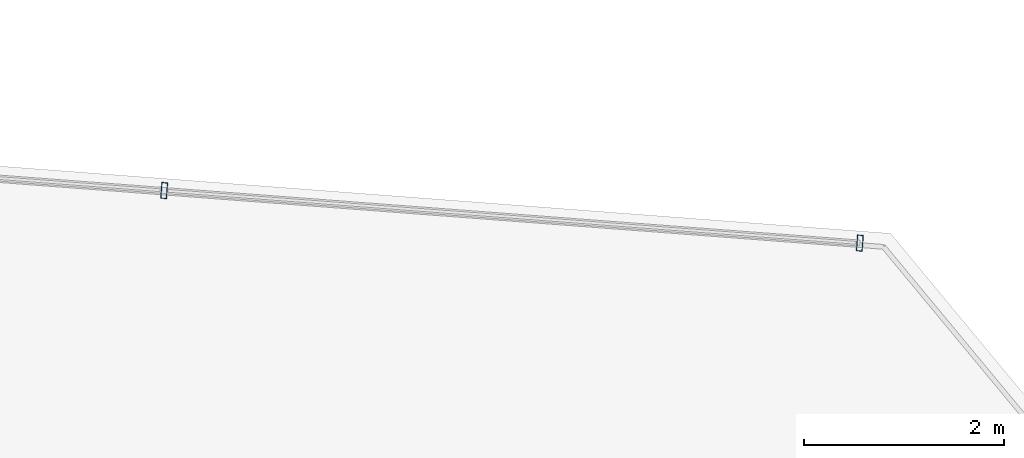
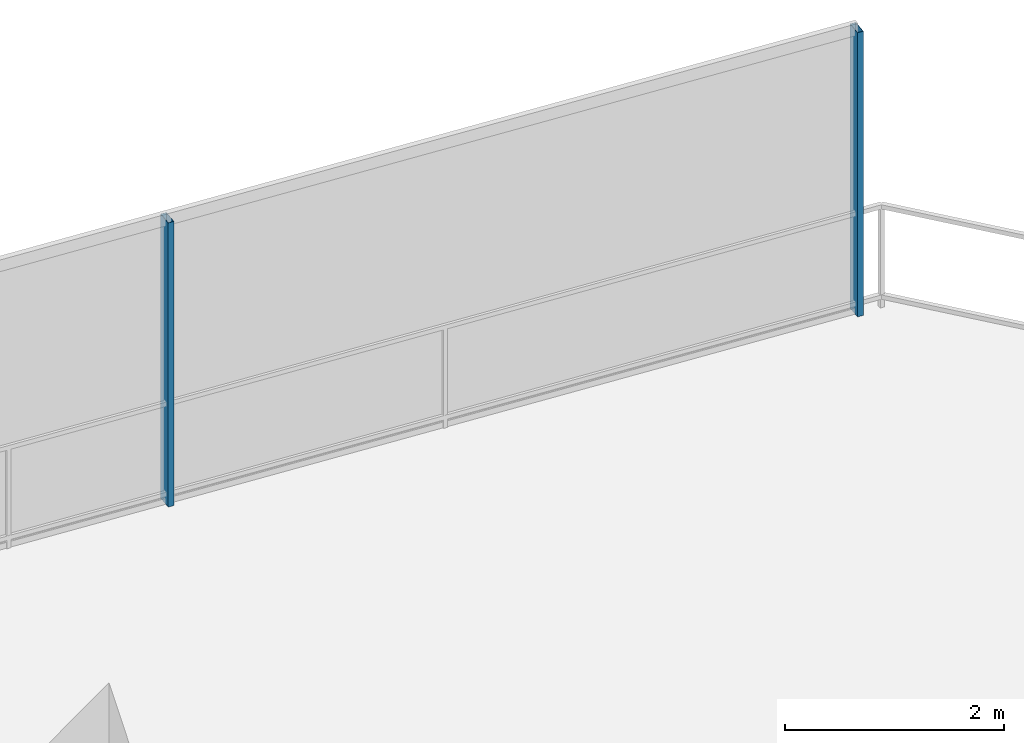
# One storey, part 24 of 30: 2 members, 1 element without a shape of its own.
"""IFC4 building model written with IfcOpenShell, lengths in metres."""

from ifc_helpers import new_model, si_unit, direction, frame, origin, origin_2d, place, context, subcontext, project, spatial, hollow_rectangle, extrude, material, layer, layer_set, material_profile, profile_set, type_object, element, aggregate, save


model = new_model("IFC4")

# Units and contexts
model_context = context("Model", 3, precision=1e-05, world=origin(), true_north=direction((0.0, 1.0)))
body_context = subcontext(model_context, "Body", "Model", "MODEL_VIEW")
ifc_project = project(units=[si_unit("LENGTHUNIT", "METRE"), si_unit("AREAUNIT", "SQUARE_METRE"), si_unit("VOLUMEUNIT", "CUBIC_METRE"), si_unit("PLANEANGLEUNIT", "RADIAN"), si_unit("MASSUNIT", "GRAM", prefix="KILO")], contexts=[model_context])

# Site, building, storey
site_placement = place(None, origin())
site = spatial("IfcSite", under=ifc_project, at=site_placement, CompositionType="ELEMENT")
building_placement = place(site_placement, origin())
building = spatial("IfcBuilding", under=site, at=building_placement, Name="Qarnah Convention Tower", CompositionType="ELEMENT")
storey_placement = place(building_placement, frame((0.0, 0.0, 51.14990234375)))
storey = spatial("IfcBuildingStorey", under=building, at=storey_placement, Name="L12", CompositionType="ELEMENT", Elevation=51.14990234375)

# Curtain wall, members
ifc_material_1 = material(Name="Tempered Low-E dark glass", Category="glass")
ifc_layer = layer(ifc_material_1, 0.16796875)
ifc_layer_set = layer_set([ifc_layer], Name="Tempered Low-E dark glass")
curtain_wall_type = type_object("IfcCurtainWallType", Name="CWS-01", PredefinedType="NOTDEFINED", material=ifc_layer_set)
curtain_wall_placement = place(storey_placement, origin())
curtain_wall = element("IfcCurtainWall", 1, at=curtain_wall_placement, inside=storey, type_object=curtain_wall_type, Name="L12 unitised curtain wall CW-L12-F2", PredefinedType="NOTDEFINED")
ifc_material_2 = material(Name="Black anodised aluminium", Category="aluminium")
ifc_material_profile = material_profile(ifc_material_2, hollow_rectangle(XDim=0.06005859375, YDim=0.159912109375, WallThickness=0.00390625, at=origin_2d()), Name="MUL-60X160")
ifc_profile_set = profile_set([ifc_material_profile], Name="Black anodised aluminium")
member_type = type_object("IfcMemberType", Name="MUL-T1", PredefinedType="MULLION", material=ifc_profile_set)
member_1_placement = place(storey_placement, frame((50.208740234375, 43.9296875, 0.0), z_axis=(0.0, 0.0, 1.0), x_axis=(0.997159055393, -0.07532475189, 0.0)))
member_1 = element("IfcMember", 2, at=member_1_placement, type_object=member_type, Name="CW-L12-F2 mullion 5", PredefinedType="MULLION", context=body_context, shape_type="SweptSolid", body=[
    extrude(hollow_rectangle(XDim=0.06005859375, YDim=0.159912109375, WallThickness=0.00390625, at=origin_2d()), origin(), (0.0, 0.0, 1.0), 3.170166015625),
])
member_2_placement = place(storey_placement, frame((57.179931640625, 43.403076171875, 0.0), z_axis=(0.0, 0.0, 1.0), x_axis=(0.997159055393, -0.07532475189, 0.0)))
member_2 = element("IfcMember", 3, at=member_2_placement, type_object=member_type, Name="CW-L12-F2 mullion 6", PredefinedType="MULLION", context=body_context, shape_type="SweptSolid", body=[
    extrude(hollow_rectangle(XDim=0.06005859375, YDim=0.159912109375, WallThickness=0.00390625, at=origin_2d()), origin(), (0.0, 0.0, 1.0), 3.170166015625),
])
aggregate(curtain_wall, [member_1, member_2])

save(model, "model.ifc")
